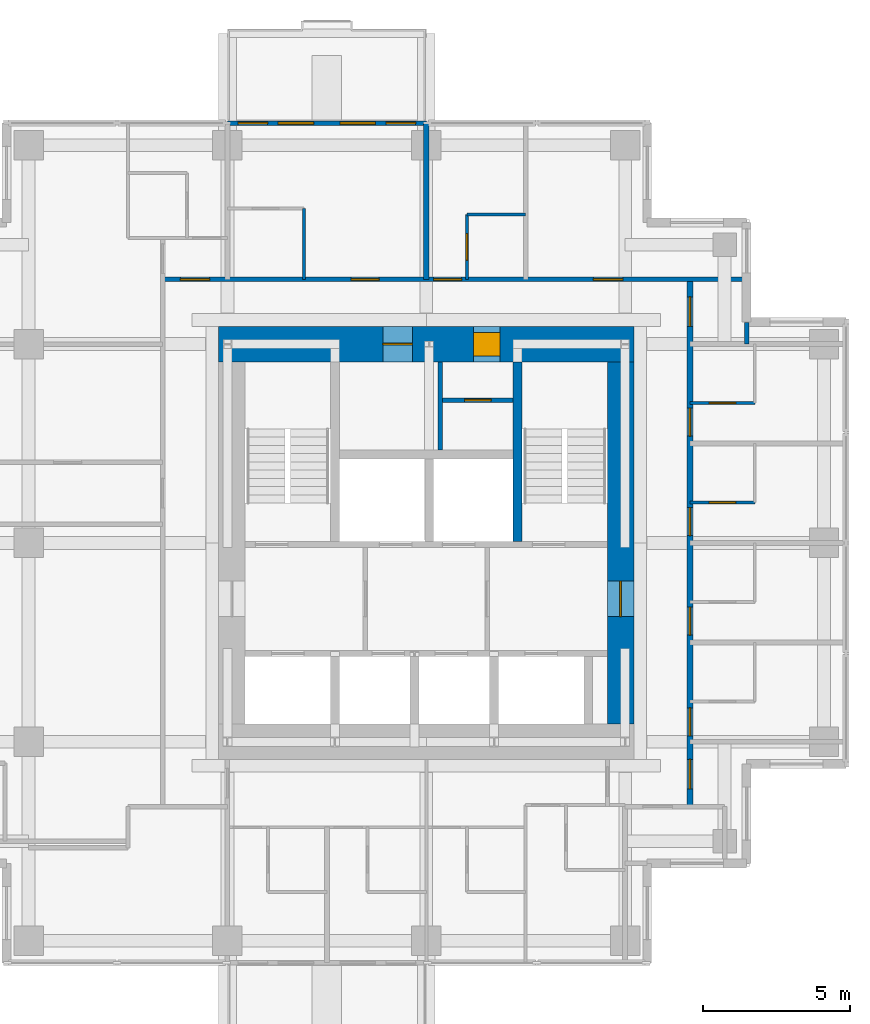
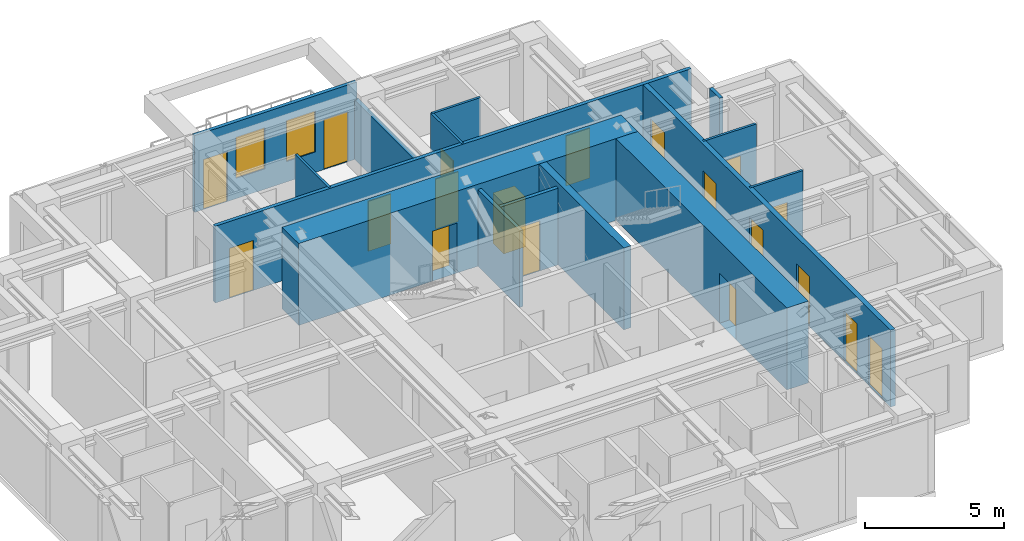
# One storey, part 6 of 8: 19 doors, 15 walls, 2 windows, 21 openings.
"""IFC4 building model written with IfcOpenShell, lengths in metres."""

from ifc_helpers import new_model, si_unit, direction, frame, frame_2d, origin, place, context, subcontext, project, spatial, rectangle, extrude, material, layer, layer_set, type_object, element, fill, save


model = new_model("IFC4")

# Units and contexts
model_context = context("Model", 3, precision=1e-05, world=origin(), true_north=direction((0.0, 1.0)))
body_context = subcontext(model_context, "Body", "Model", "MODEL_VIEW")
ifc_project = project(units=[si_unit("LENGTHUNIT", "METRE"), si_unit("AREAUNIT", "SQUARE_METRE"), si_unit("VOLUMEUNIT", "CUBIC_METRE"), si_unit("PLANEANGLEUNIT", "RADIAN"), si_unit("MASSUNIT", "GRAM", prefix="KILO")], contexts=[model_context])

# Site, building, storey
site_placement = place(None, origin())
site = spatial("IfcSite", under=ifc_project, at=site_placement, CompositionType="ELEMENT")
building_placement = place(site_placement, origin())
building = spatial("IfcBuilding", under=site, at=building_placement, Name="Nyansa Garden Tower", CompositionType="ELEMENT")
storey_placement = place(building_placement, frame((0.0, 0.0, 247.5)))
storey = spatial("IfcBuildingStorey", under=building, at=storey_placement, Name="L67", CompositionType="ELEMENT", Elevation=247.5)

# Wall
ifc_material_1 = material(Name="Dense blockwork, plastered both sides, 55 dB", Category="masonry")
ifc_layer_1 = layer(ifc_material_1, 0.175048828125)
ifc_layer_set_1 = layer_set([ifc_layer_1], Name="Acoustic party wall PW175")
wall_type_1 = type_object("IfcWallType", Name="Acoustic party wall PW175", PredefinedType="PARTITIONING", material=ifc_layer_set_1)
wall_1_placement = place(storey_placement, frame((20.25, 29.199951171875, 0.0), z_axis=(0.0, 0.0, 1.0), x_axis=(0.0, 1.0, 0.0)))
element("IfcWall", 1, at=wall_1_placement, inside=storey, type_object=wall_type_1, Name="Party wall", PredefinedType="PARTITIONING", context=body_context, shape_type="SweptSolid", body=[
    extrude(rectangle(XDim=5.283935546875, YDim=0.175048828125, at=frame_2d((2.64208984375, 0.0))), origin(), (0.0, 0.0, 1.0), 2.610107421875),
])

# Wall, openings, doors, windows
ifc_material_2 = material(Name="Black aluminium framed glazed screen", Category="aluminium")
ifc_layer_2 = layer(ifc_material_2, 0.14990234375)
ifc_layer_set_2 = layer_set([ifc_layer_2], Name="Balcony screen wall BW150")
wall_type_2 = type_object("IfcWallType", Name="Balcony screen wall BW150", PredefinedType="SOLIDWALL", material=ifc_layer_set_2)
wall_2_placement = place(storey_placement, frame((13.5, 34.5, 0.0), z_axis=(0.0, 0.0, 1.0), x_axis=(1.0, 0.0, 0.0)))
wall_2 = element("IfcWall", 2, at=wall_2_placement, inside=storey, type_object=wall_type_2, Name="Glazed screen wall L67 N", PredefinedType="SOLIDWALL", context=body_context, shape_type="SweptSolid", body=[
    extrude(rectangle(XDim=6.75, YDim=0.14990234375, at=frame_2d((3.375, 0.0))), origin(), (0.0, 0.0, 1.0), 3.375),
])
opening_1_placement = place(wall_2_placement, frame((0.362548828125, 0.0, 0.0)))
opening_1 = element("IfcOpeningElement", 3, at=opening_1_placement, cuts=wall_2, Name="Opening D20", PredefinedType="OPENING", context=body_context, shape_type="SweptSolid", body=[
    extrude(rectangle(XDim=1.0, YDim=2.199951171875, at=frame_2d((0.5, 1.10009765625))), frame((0.0, 0.0849609375, 0.0), z_axis=(0.0, -1.0, 0.0), x_axis=(1.0, 0.0, 0.0)), (0.0, 0.0, 1.0), 0.169921875),
])
opening_2_placement = place(wall_2_placement, frame((1.72509765625, 0.0, 0.89990234375)))
opening_2 = element("IfcOpeningElement", 4, at=opening_2_placement, cuts=wall_2, Name="Opening W6", PredefinedType="OPENING", context=body_context, shape_type="SweptSolid", body=[
    extrude(rectangle(XDim=1.199951171875, YDim=1.800048828125, at=frame_2d((0.60009765625, 0.89990234375))), frame((0.0, 0.0849609375, 0.0), z_axis=(0.0, -1.0, 0.0), x_axis=(1.0, 0.0, 0.0)), (0.0, 0.0, 1.0), 0.169921875),
])
opening_3_placement = place(wall_2_placement, frame((5.387451171875, 0.0, 0.0)))
opening_3 = element("IfcOpeningElement", 5, at=opening_3_placement, cuts=wall_2, Name="Opening D20", PredefinedType="OPENING", context=body_context, shape_type="SweptSolid", body=[
    extrude(rectangle(XDim=1.0, YDim=2.199951171875, at=frame_2d((0.5, 1.10009765625))), frame((0.0, 0.0849609375, 0.0), z_axis=(0.0, -1.0, 0.0), x_axis=(1.0, 0.0, 0.0)), (0.0, 0.0, 1.0), 0.169921875),
])
opening_4_placement = place(wall_2_placement, frame((3.824951171875, 0.0, 0.89990234375)))
opening_4 = element("IfcOpeningElement", 6, at=opening_4_placement, cuts=wall_2, Name="Opening W6", PredefinedType="OPENING", context=body_context, shape_type="SweptSolid", body=[
    extrude(rectangle(XDim=1.199951171875, YDim=1.800048828125, at=frame_2d((0.60009765625, 0.89990234375))), frame((0.0, 0.0849609375, 0.0), z_axis=(0.0, -1.0, 0.0), x_axis=(1.0, 0.0, 0.0)), (0.0, 0.0, 1.0), 0.169921875),
])
ifc_material_3 = material(Name="Black aluminium framed glazed door", Category="aluminium")
door_type_1 = type_object("IfcDoorType", Name="Balcony door D20 1000x2200", OperationType="NOTDEFINED", PredefinedType="DOOR", material=ifc_material_3)
door_1_placement = place(opening_1_placement, origin())
door_1 = element("IfcDoor", 7, at=door_1_placement, inside=storey, type_object=door_type_1, Name="Balcony door L67", OperationType="SINGLE_SWING_LEFT", OverallHeight=2.199951171875, OverallWidth=1.0, PredefinedType="DOOR", context=body_context, shape_type="SweptSolid", body=[
    extrude(rectangle(XDim=1.0, YDim=2.199951171875, at=frame_2d((0.5, 1.10009765625))), frame((0.0, 0.02490234375, 0.0), z_axis=(0.0, -1.0, 0.0), x_axis=(1.0, 0.0, 0.0)), (0.0, 0.0, 1.0), 0.050048828125),
])
fill(opening_1, door_1)
door_2_placement = place(opening_3_placement, origin())
door_2 = element("IfcDoor", 8, at=door_2_placement, inside=storey, type_object=door_type_1, Name="Balcony door L67", OperationType="SINGLE_SWING_RIGHT", OverallHeight=2.199951171875, OverallWidth=1.0, PredefinedType="DOOR", context=body_context, shape_type="SweptSolid", body=[
    extrude(rectangle(XDim=1.0, YDim=2.199951171875, at=frame_2d((0.5, 1.10009765625))), frame((0.0, 0.02490234375, 0.0), z_axis=(0.0, -1.0, 0.0), x_axis=(1.0, 0.0, 0.0)), (0.0, 0.0, 1.0), 0.050048828125),
])
fill(opening_3, door_2)
ifc_material_4 = material(Name="Black aluminium frame, dark tinted double glazing", Category="aluminium")
window_type = type_object("IfcWindowType", Name="Balcony window W6 1200x1800", PartitioningType="SINGLE_PANEL", PredefinedType="WINDOW", material=ifc_material_4)
window_1_placement = place(opening_2_placement, origin())
window_1 = element("IfcWindow", 9, at=window_1_placement, inside=storey, type_object=window_type, Name="Window L67", OverallHeight=1.800048828125, OverallWidth=1.199951171875, PartitioningType="SINGLE_PANEL", PredefinedType="WINDOW", context=body_context, shape_type="SweptSolid", body=[
    extrude(rectangle(XDim=1.199951171875, YDim=1.800048828125, at=frame_2d((0.60009765625, 0.89990234375))), frame((0.0, 0.030029296875, 0.0), z_axis=(0.0, -1.0, 0.0), x_axis=(1.0, 0.0, 0.0)), (0.0, 0.0, 1.0), 0.06005859375),
])
fill(opening_2, window_1)
window_2_placement = place(opening_4_placement, origin())
window_2 = element("IfcWindow", 10, at=window_2_placement, inside=storey, type_object=window_type, Name="Window L67", OverallHeight=1.800048828125, OverallWidth=1.199951171875, PartitioningType="SINGLE_PANEL", PredefinedType="WINDOW", context=body_context, shape_type="SweptSolid", body=[
    extrude(rectangle(XDim=1.199951171875, YDim=1.800048828125, at=frame_2d((0.60009765625, 0.89990234375))), frame((0.0, 0.030029296875, 0.0), z_axis=(0.0, -1.0, 0.0), x_axis=(1.0, 0.0, 0.0)), (0.0, 0.0, 1.0), 0.06005859375),
])
fill(opening_4, window_2)

# Wall
ifc_material_5 = material(Name="Concrete C70/85", Category="concrete")
ifc_layer_3 = layer(ifc_material_5, 0.300048828125)
ifc_layer_set_3 = layer_set([ifc_layer_3], Name="Core inner wall CI300")
wall_type_3 = type_object("IfcWallType", Name="Core inner wall CI300", PredefinedType="SHEAR", material=ifc_layer_set_3)
wall_3_placement = place(storey_placement, frame((23.35009765625, 20.300048828125, 0.0), z_axis=(0.0, 0.0, 1.0), x_axis=(0.0, 1.0, 0.0)))
element("IfcWall", 11, at=wall_3_placement, inside=storey, type_object=wall_type_3, Name="Core inner wall L67", PredefinedType="SHEAR", context=body_context, shape_type="SweptSolid", body=[
    extrude(rectangle(XDim=6.099853515625, YDim=0.300048828125, at=frame_2d((3.0498046875, 0.0))), origin(), (0.0, 0.0, 1.0), 3.60009765625),
])

# Wall, openings, doors
ifc_material_6 = material(Name="Concrete C80/95", Category="concrete")
ifc_layer_4 = layer(ifc_material_6, 1.199951171875)
ifc_layer_set_4 = layer_set([ifc_layer_4], Name="Core wall CW1200")
wall_type_4 = type_object("IfcWallType", Name="Core wall CW1200", PredefinedType="SHEAR", material=ifc_layer_set_4)
wall_4_placement = place(storey_placement, frame((27.300048828125, 27.0, 0.0), z_axis=(0.0, 0.0, 1.0), x_axis=(-1.0, 0.0, 0.0)))
wall_4 = element("IfcWall", 12, at=wall_4_placement, inside=storey, type_object=wall_type_4, Name="Core wall N L67", PredefinedType="SHEAR", context=body_context, shape_type="SweptSolid", body=[
    extrude(rectangle(XDim=14.10009765625, YDim=1.199951171875, at=frame_2d((7.050048828125, 0.0))), origin(), (0.0, 0.0, 1.0), 3.60009765625),
])
opening_5_placement = place(wall_4_placement, frame((4.550048828125, 0.0, 0.0)))
opening_5 = element("IfcOpeningElement", 13, at=opening_5_placement, cuts=wall_4, Name="Opening D15", PredefinedType="OPENING", context=body_context, shape_type="SweptSolid", body=[
    extrude(rectangle(XDim=0.89990234375, YDim=2.199951171875, at=frame_2d((0.449951171875, 1.10009765625))), frame((0.0, 0.60986328125, 0.0), z_axis=(0.0, -1.0, 0.0), x_axis=(1.0, 0.0, 0.0)), (0.0, 0.0, 1.0), 1.219970703125),
])
opening_6_placement = place(wall_4_placement, frame((7.52490234375, 0.0, 0.0)))
opening_6 = element("IfcOpeningElement", 14, at=opening_6_placement, cuts=wall_4, Name="Opening D07", PredefinedType="OPENING", context=body_context, shape_type="SweptSolid", body=[
    extrude(rectangle(XDim=1.0, YDim=2.199951171875, at=frame_2d((0.5, 1.10009765625))), frame((0.0, 0.60986328125, 0.0), z_axis=(0.0, -1.0, 0.0), x_axis=(1.0, 0.0, 0.0)), (0.0, 0.0, 1.0), 1.219970703125),
])
ifc_material_7 = material(Name="Timber flush door, 60 minute fire resisting, self-closing", Category="wood")
door_type_2 = type_object("IfcDoorType", Name="Core room door D15 900x2200", OperationType="SINGLE_SWING_LEFT", PredefinedType="DOOR", material=ifc_material_7)
door_3_placement = place(opening_5_placement, origin())
door_3 = element("IfcDoor", 15, at=door_3_placement, inside=storey, type_object=door_type_2, Name="Core room door", OperationType="SINGLE_SWING_LEFT", OverallHeight=2.199951171875, OverallWidth=0.89990234375, PredefinedType="DOOR", context=body_context, shape_type="SweptSolid", body=[
    extrude(rectangle(XDim=0.89990234375, YDim=2.199951171875, at=frame_2d((0.449951171875, 1.10009765625))), frame((0.0, 0.39990234375, 0.0), z_axis=(0.0, -1.0, 0.0), x_axis=(1.0, 0.0, 0.0)), (0.0, 0.0, 1.0), 0.800048828125),
])
fill(opening_5, door_3)
ifc_material_8 = material(Name="Steel door, 120 minute fire resisting", Category="steel")
door_type_3 = type_object("IfcDoorType", Name="Riser door D07 1000x2200", OperationType="SINGLE_SWING_LEFT", PredefinedType="DOOR", material=ifc_material_8)
door_4_placement = place(opening_6_placement, origin())
door_4 = element("IfcDoor", 16, at=door_4_placement, inside=storey, type_object=door_type_3, Name="Riser and refuse room door", OperationType="SINGLE_SWING_LEFT", OverallHeight=2.199951171875, OverallWidth=1.0, PredefinedType="DOOR", context=body_context, shape_type="SweptSolid", body=[
    extrude(rectangle(XDim=1.0, YDim=2.199951171875, at=frame_2d((0.5, 1.10009765625))), frame((0.0, 0.02490234375, 0.0), z_axis=(0.0, -1.0, 0.0), x_axis=(1.0, 0.0, 0.0)), (0.0, 0.0, 1.0), 0.050048828125),
])
fill(opening_6, door_4)

# Wall, opening, door
ifc_material_9 = material(Name="Concrete C80/95", Category="concrete")
ifc_layer_5 = layer(ifc_material_9, 0.89990234375)
ifc_layer_set_5 = layer_set([ifc_layer_5], Name="Core wall CW900")
wall_type_5 = type_object("IfcWallType", Name="Core wall CW900", PredefinedType="SHEAR", material=ifc_layer_set_5)
wall_5_placement = place(storey_placement, frame((26.85009765625, 14.10009765625, 0.0), z_axis=(0.0, 0.0, 1.0), x_axis=(0.0, 1.0, 0.0)))
wall_5 = element("IfcWall", 17, at=wall_5_placement, inside=storey, type_object=wall_type_5, Name="Core wall E L67", PredefinedType="SHEAR", context=body_context, shape_type="SweptSolid", body=[
    extrude(rectangle(XDim=12.2998046875, YDim=0.89990234375, at=frame_2d((6.14990234375, 0.0))), origin(), (0.0, 0.0, 1.0), 3.60009765625),
])
opening_7_placement = place(wall_5_placement, frame((3.64990234375, 0.0, 0.0)))
opening_7 = element("IfcOpeningElement", 18, at=opening_7_placement, cuts=wall_5, Name="Opening D06", PredefinedType="OPENING", context=body_context, shape_type="SweptSolid", body=[
    extrude(rectangle(XDim=1.199951171875, YDim=2.199951171875, at=frame_2d((0.60009765625, 1.10009765625))), frame((0.0, 0.4599609375, 0.0), z_axis=(0.0, -1.0, 0.0), x_axis=(1.0, 0.0, 0.0)), (0.0, 0.0, 1.0), 0.919921875),
])
ifc_material_10 = material(Name="Steel door, 120 minute fire resisting", Category="steel")
door_type_4 = type_object("IfcDoorType", Name="Lobby door D06 1200x2200", OperationType="DOUBLE_DOOR_SINGLE_SWING", PredefinedType="DOOR", material=ifc_material_10)
door_5_placement = place(opening_7_placement, origin())
door_5 = element("IfcDoor", 19, at=door_5_placement, inside=storey, type_object=door_type_4, Name="Lift lobby door east", OperationType="DOUBLE_DOOR_SINGLE_SWING", OverallHeight=2.199951171875, OverallWidth=1.199951171875, PredefinedType="DOOR", context=body_context, shape_type="SweptSolid", body=[
    extrude(rectangle(XDim=1.199951171875, YDim=2.199951171875, at=frame_2d((0.60009765625, 1.10009765625))), frame((0.0, 0.02490234375, 0.0), z_axis=(0.0, -1.0, 0.0), x_axis=(1.0, 0.0, 0.0)), (0.0, 0.0, 1.0), 0.050048828125),
])
fill(opening_7, door_5)

# Wall, openings, doors
ifc_material_11 = material(Name="Concrete blockwork, plastered, 60 minute fire resisting", Category="masonry")
ifc_layer_6 = layer(ifc_material_11, 0.199951171875)
ifc_layer_set_6 = layer_set([ifc_layer_6], Name="Corridor wall FW200")
wall_type_6 = type_object("IfcWallType", Name="Corridor wall FW200", PredefinedType="PARTITIONING", material=ifc_layer_set_6)
wall_6_placement = place(storey_placement, frame((29.199951171875, 11.300048828125, 0.0), z_axis=(0.0, 0.0, 1.0), x_axis=(0.0, 1.0, 0.0)))
wall_6 = element("IfcWall", 20, at=wall_6_placement, inside=storey, type_object=wall_type_6, Name="Corridor wall", PredefinedType="PARTITIONING", context=body_context, shape_type="SweptSolid", body=[
    extrude(rectangle(XDim=17.89990234375, YDim=0.199951171875, at=frame_2d((8.949951171875, 0.0))), origin(), (0.0, 0.0, 1.0), 3.375),
])
opening_8_placement = place(wall_6_placement, frame((0.60009765625, 0.0, 0.0)))
opening_8 = element("IfcOpeningElement", 21, at=opening_8_placement, cuts=wall_6, Name="Opening D03", PredefinedType="OPENING", context=body_context, shape_type="SweptSolid", body=[
    extrude(rectangle(XDim=1.0, YDim=2.199951171875, at=frame_2d((0.5, 1.10009765625))), frame((0.0, 0.10986328125, 0.0), z_axis=(0.0, -1.0, 0.0), x_axis=(1.0, 0.0, 0.0)), (0.0, 0.0, 1.0), 0.219970703125),
])
opening_9_placement = place(wall_6_placement, frame((2.39990234375, 0.0, 0.0)))
opening_9 = element("IfcOpeningElement", 22, at=opening_9_placement, cuts=wall_6, Name="Opening D14", PredefinedType="OPENING", context=body_context, shape_type="SweptSolid", body=[
    extrude(rectangle(XDim=0.949951171875, YDim=2.199951171875, at=frame_2d((0.47509765625, 1.10009765625))), frame((0.0, 0.10986328125, 0.0), z_axis=(0.0, -1.0, 0.0), x_axis=(1.0, 0.0, 0.0)), (0.0, 0.0, 1.0), 0.219970703125),
])
opening_10_placement = place(wall_6_placement, frame((5.824951171875, 0.0, 0.0)))
opening_10 = element("IfcOpeningElement", 23, at=opening_10_placement, cuts=wall_6, Name="Opening D14", PredefinedType="OPENING", context=body_context, shape_type="SweptSolid", body=[
    extrude(rectangle(XDim=0.949951171875, YDim=2.199951171875, at=frame_2d((0.47509765625, 1.10009765625))), frame((0.0, 0.10986328125, 0.0), z_axis=(0.0, -1.0, 0.0), x_axis=(1.0, 0.0, 0.0)), (0.0, 0.0, 1.0), 0.219970703125),
])
opening_11_placement = place(wall_6_placement, frame((9.199951171875, 0.0, 0.0)))
opening_11 = element("IfcOpeningElement", 24, at=opening_11_placement, cuts=wall_6, Name="Opening D14", PredefinedType="OPENING", context=body_context, shape_type="SweptSolid", body=[
    extrude(rectangle(XDim=0.949951171875, YDim=2.199951171875, at=frame_2d((0.47509765625, 1.10009765625))), frame((0.0, 0.10986328125, 0.0), z_axis=(0.0, -1.0, 0.0), x_axis=(1.0, 0.0, 0.0)), (0.0, 0.0, 1.0), 0.219970703125),
])
opening_12_placement = place(wall_6_placement, frame((12.574951171875, 0.0, 0.0)))
opening_12 = element("IfcOpeningElement", 25, at=opening_12_placement, cuts=wall_6, Name="Opening D14", PredefinedType="OPENING", context=body_context, shape_type="SweptSolid", body=[
    extrude(rectangle(XDim=0.949951171875, YDim=2.199951171875, at=frame_2d((0.47509765625, 1.10009765625))), frame((0.0, 0.10986328125, 0.0), z_axis=(0.0, -1.0, 0.0), x_axis=(1.0, 0.0, 0.0)), (0.0, 0.0, 1.0), 0.219970703125),
])
opening_13_placement = place(wall_6_placement, frame((16.300048828125, 0.0, 0.0)))
opening_13 = element("IfcOpeningElement", 26, at=opening_13_placement, cuts=wall_6, Name="Opening D03", PredefinedType="OPENING", context=body_context, shape_type="SweptSolid", body=[
    extrude(rectangle(XDim=1.0, YDim=2.199951171875, at=frame_2d((0.5, 1.10009765625))), frame((0.0, 0.10986328125, 0.0), z_axis=(0.0, -1.0, 0.0), x_axis=(1.0, 0.0, 0.0)), (0.0, 0.0, 1.0), 0.219970703125),
])
ifc_material_12 = material(Name="Timber flush door, 60 minute fire resisting", Category="wood")
door_type_5 = type_object("IfcDoorType", Name="Cluster entrance door D03 1000x2200", OperationType="SINGLE_SWING_LEFT", PredefinedType="DOOR", material=ifc_material_12)
door_6_placement = place(opening_8_placement, origin())
door_6 = element("IfcDoor", 27, at=door_6_placement, inside=storey, type_object=door_type_5, Name="Door L67-029", OperationType="SINGLE_SWING_LEFT", OverallHeight=2.199951171875, OverallWidth=1.0, PredefinedType="DOOR", context=body_context, shape_type="SweptSolid", body=[
    extrude(rectangle(XDim=1.0, YDim=2.199951171875, at=frame_2d((0.5, 1.10009765625))), frame((0.0, 0.02490234375, 0.0), z_axis=(0.0, -1.0, 0.0), x_axis=(1.0, 0.0, 0.0)), (0.0, 0.0, 1.0), 0.050048828125),
])
fill(opening_8, door_6)
door_7_placement = place(opening_13_placement, origin())
door_7 = element("IfcDoor", 28, at=door_7_placement, inside=storey, type_object=door_type_5, Name="Door L67-038", OperationType="SINGLE_SWING_LEFT", OverallHeight=2.199951171875, OverallWidth=1.0, PredefinedType="DOOR", context=body_context, shape_type="SweptSolid", body=[
    extrude(rectangle(XDim=1.0, YDim=2.199951171875, at=frame_2d((0.5, 1.10009765625))), frame((0.0, 0.02490234375, 0.0), z_axis=(0.0, -1.0, 0.0), x_axis=(1.0, 0.0, 0.0)), (0.0, 0.0, 1.0), 0.050048828125),
])
fill(opening_13, door_7)
ifc_material_13 = material(Name="Timber flush door, 60 minute fire resisting, self-closing", Category="wood")
door_type_6 = type_object("IfcDoorType", Name="Studio entrance door D14 950x2200", OperationType="SINGLE_SWING_LEFT", PredefinedType="DOOR", material=ifc_material_13)
door_8_placement = place(opening_9_placement, origin())
door_8 = element("IfcDoor", 29, at=door_8_placement, inside=storey, type_object=door_type_6, Name="Door L67-030", OperationType="SINGLE_SWING_LEFT", OverallHeight=2.199951171875, OverallWidth=0.949951171875, PredefinedType="DOOR", context=body_context, shape_type="SweptSolid", body=[
    extrude(rectangle(XDim=0.949951171875, YDim=2.199951171875, at=frame_2d((0.47509765625, 1.10009765625))), frame((0.0, 0.02490234375, 0.0), z_axis=(0.0, -1.0, 0.0), x_axis=(1.0, 0.0, 0.0)), (0.0, 0.0, 1.0), 0.050048828125),
])
fill(opening_9, door_8)
door_9_placement = place(opening_10_placement, origin())
door_9 = element("IfcDoor", 30, at=door_9_placement, inside=storey, type_object=door_type_6, Name="Door L67-032", OperationType="SINGLE_SWING_LEFT", OverallHeight=2.199951171875, OverallWidth=0.949951171875, PredefinedType="DOOR", context=body_context, shape_type="SweptSolid", body=[
    extrude(rectangle(XDim=0.949951171875, YDim=2.199951171875, at=frame_2d((0.47509765625, 1.10009765625))), frame((0.0, 0.02490234375, 0.0), z_axis=(0.0, -1.0, 0.0), x_axis=(1.0, 0.0, 0.0)), (0.0, 0.0, 1.0), 0.050048828125),
])
fill(opening_10, door_9)
door_10_placement = place(opening_11_placement, origin())
door_10 = element("IfcDoor", 31, at=door_10_placement, inside=storey, type_object=door_type_6, Name="Door L67-034", OperationType="SINGLE_SWING_LEFT", OverallHeight=2.199951171875, OverallWidth=0.949951171875, PredefinedType="DOOR", context=body_context, shape_type="SweptSolid", body=[
    extrude(rectangle(XDim=0.949951171875, YDim=2.199951171875, at=frame_2d((0.47509765625, 1.10009765625))), frame((0.0, 0.02490234375, 0.0), z_axis=(0.0, -1.0, 0.0), x_axis=(1.0, 0.0, 0.0)), (0.0, 0.0, 1.0), 0.050048828125),
])
fill(opening_11, door_10)
door_11_placement = place(opening_12_placement, origin())
door_11 = element("IfcDoor", 32, at=door_11_placement, inside=storey, type_object=door_type_6, Name="Door L67-036", OperationType="SINGLE_SWING_LEFT", OverallHeight=2.199951171875, OverallWidth=0.949951171875, PredefinedType="DOOR", context=body_context, shape_type="SweptSolid", body=[
    extrude(rectangle(XDim=0.949951171875, YDim=2.199951171875, at=frame_2d((0.47509765625, 1.10009765625))), frame((0.0, 0.02490234375, 0.0), z_axis=(0.0, -1.0, 0.0), x_axis=(1.0, 0.0, 0.0)), (0.0, 0.0, 1.0), 0.050048828125),
])
fill(opening_12, door_11)

# Wall
ifc_material_14 = material(Name="Blockwork, plastered both sides", Category="masonry")
ifc_layer_7 = layer(ifc_material_14, 0.14990234375)
ifc_layer_set_7 = layer_set([ifc_layer_7], Name="Partition PW150")
wall_type_7 = type_object("IfcWallType", Name="Partition PW150", PredefinedType="PARTITIONING", material=ifc_layer_set_7)
wall_7_placement = place(storey_placement, frame((20.72509765625, 23.39990234375, 0.0), z_axis=(0.0, 0.0, 1.0), x_axis=(0.0, 1.0, 0.0)))
element("IfcWall", 33, at=wall_7_placement, inside=storey, type_object=wall_type_7, Name="Partition", PredefinedType="PARTITIONING", context=body_context, shape_type="SweptSolid", body=[
    extrude(rectangle(XDim=3.0, YDim=0.14990234375, at=frame_2d((1.5, 0.0))), origin(), (0.0, 0.0, 1.0), 3.375),
])

# Wall, opening, door
wall_8_placement = place(storey_placement, frame((20.800048828125, 25.10009765625, 0.0), z_axis=(0.0, 0.0, 1.0), x_axis=(1.0, 0.0, 0.0)))
wall_8 = element("IfcWall", 34, at=wall_8_placement, inside=storey, type_object=wall_type_7, Name="Partition", PredefinedType="PARTITIONING", context=body_context, shape_type="SweptSolid", body=[
    extrude(rectangle(XDim=2.39990234375, YDim=0.14990234375, at=frame_2d((1.199951171875, 0.0))), origin(), (0.0, 0.0, 1.0), 3.375),
])
opening_14_placement = place(wall_8_placement, frame((0.75, 0.0, 0.0)))
opening_14 = element("IfcOpeningElement", 35, at=opening_14_placement, cuts=wall_8, Name="Opening D02", PredefinedType="OPENING", context=body_context, shape_type="SweptSolid", body=[
    extrude(rectangle(XDim=0.89990234375, YDim=2.199951171875, at=frame_2d((0.449951171875, 1.10009765625))), frame((0.0, 0.0849609375, 0.0), z_axis=(0.0, -1.0, 0.0), x_axis=(1.0, 0.0, 0.0)), (0.0, 0.0, 1.0), 0.169921875),
])
ifc_material_15 = material(Name="Timber flush door", Category="wood")
door_type_7 = type_object("IfcDoorType", Name="En-suite door D02 900x2200", OperationType="SINGLE_SWING_RIGHT", PredefinedType="DOOR", material=ifc_material_15)
door_12_placement = place(opening_14_placement, origin())
door_12 = element("IfcDoor", 36, at=door_12_placement, inside=storey, type_object=door_type_7, Name="Staff WC door", OperationType="SINGLE_SWING_RIGHT", OverallHeight=2.199951171875, OverallWidth=0.89990234375, PredefinedType="DOOR", context=body_context, shape_type="SweptSolid", body=[
    extrude(rectangle(XDim=0.89990234375, YDim=2.199951171875, at=frame_2d((0.449951171875, 1.10009765625))), frame((0.0, 0.02490234375, 0.0), z_axis=(0.0, -1.0, 0.0), x_axis=(1.0, 0.0, 0.0)), (0.0, 0.0, 1.0), 0.050048828125),
])
fill(opening_14, door_12)

# Wall, openings, doors
wall_9_placement = place(storey_placement, frame((11.300048828125, 29.199951171875, 0.0), z_axis=(0.0, 0.0, 1.0), x_axis=(1.0, 0.0, 0.0)))
wall_9 = element("IfcWall", 37, at=wall_9_placement, inside=storey, type_object=wall_type_7, Name="Partition", PredefinedType="PARTITIONING", context=body_context, shape_type="SweptSolid", body=[
    extrude(rectangle(XDim=19.808837890625, YDim=0.14990234375, at=frame_2d((9.904296875, 0.0))), origin(), (0.0, 0.0, 1.0), 3.375),
])
opening_15_placement = place(wall_9_placement, frame((14.625, 0.0, 0.0)))
opening_15 = element("IfcOpeningElement", 38, at=opening_15_placement, cuts=wall_9, Name="Opening D03", PredefinedType="OPENING", context=body_context, shape_type="SweptSolid", body=[
    extrude(rectangle(XDim=1.0, YDim=2.199951171875, at=frame_2d((0.5, 1.10009765625))), frame((0.0, 0.0849609375, 0.0), z_axis=(0.0, -1.0, 0.0), x_axis=(1.0, 0.0, 0.0)), (0.0, 0.0, 1.0), 0.169921875),
])
opening_16_placement = place(wall_9_placement, frame((6.39990234375, 0.0, 0.0)))
opening_16 = element("IfcOpeningElement", 39, at=opening_16_placement, cuts=wall_9, Name="Opening D14", PredefinedType="OPENING", context=body_context, shape_type="SweptSolid", body=[
    extrude(rectangle(XDim=0.949951171875, YDim=2.199951171875, at=frame_2d((0.47509765625, 1.10009765625))), frame((0.0, 0.0849609375, 0.0), z_axis=(0.0, -1.0, 0.0), x_axis=(1.0, 0.0, 0.0)), (0.0, 0.0, 1.0), 0.169921875),
])
opening_17_placement = place(wall_9_placement, frame((9.199951171875, 0.0, 0.0)))
opening_17 = element("IfcOpeningElement", 40, at=opening_17_placement, cuts=wall_9, Name="Opening D14", PredefinedType="OPENING", context=body_context, shape_type="SweptSolid", body=[
    extrude(rectangle(XDim=0.949951171875, YDim=2.199951171875, at=frame_2d((0.47509765625, 1.10009765625))), frame((0.0, 0.0849609375, 0.0), z_axis=(0.0, -1.0, 0.0), x_axis=(1.0, 0.0, 0.0)), (0.0, 0.0, 1.0), 0.169921875),
])
opening_18_placement = place(wall_9_placement, frame((0.60009765625, 0.0, 0.0)))
opening_18 = element("IfcOpeningElement", 41, at=opening_18_placement, cuts=wall_9, Name="Opening D03", PredefinedType="OPENING", context=body_context, shape_type="SweptSolid", body=[
    extrude(rectangle(XDim=1.0, YDim=2.199951171875, at=frame_2d((0.5, 1.10009765625))), frame((0.0, 0.0849609375, 0.0), z_axis=(0.0, -1.0, 0.0), x_axis=(1.0, 0.0, 0.0)), (0.0, 0.0, 1.0), 0.169921875),
])
door_13_placement = place(opening_15_placement, origin())
door_13 = element("IfcDoor", 42, at=door_13_placement, inside=storey, type_object=door_type_5, Name="Door L67-039", OperationType="SINGLE_SWING_LEFT", OverallHeight=2.199951171875, OverallWidth=1.0, PredefinedType="DOOR", context=body_context, shape_type="SweptSolid", body=[
    extrude(rectangle(XDim=1.0, YDim=2.199951171875, at=frame_2d((0.5, 1.10009765625))), frame((0.0, 0.02490234375, 0.0), z_axis=(0.0, -1.0, 0.0), x_axis=(1.0, 0.0, 0.0)), (0.0, 0.0, 1.0), 0.050048828125),
])
fill(opening_15, door_13)
door_14_placement = place(opening_18_placement, origin())
door_14 = element("IfcDoor", 43, at=door_14_placement, inside=storey, type_object=door_type_5, Name="Door L67-046", OperationType="SINGLE_SWING_LEFT", OverallHeight=2.199951171875, OverallWidth=1.0, PredefinedType="DOOR", context=body_context, shape_type="SweptSolid", body=[
    extrude(rectangle(XDim=1.0, YDim=2.199951171875, at=frame_2d((0.5, 1.10009765625))), frame((0.0, 0.02490234375, 0.0), z_axis=(0.0, -1.0, 0.0), x_axis=(1.0, 0.0, 0.0)), (0.0, 0.0, 1.0), 0.050048828125),
])
fill(opening_18, door_14)
door_15_placement = place(opening_16_placement, origin())
door_15 = element("IfcDoor", 44, at=door_15_placement, inside=storey, type_object=door_type_6, Name="Door L67-040", OperationType="SINGLE_SWING_LEFT", OverallHeight=2.199951171875, OverallWidth=0.949951171875, PredefinedType="DOOR", context=body_context, shape_type="SweptSolid", body=[
    extrude(rectangle(XDim=0.949951171875, YDim=2.199951171875, at=frame_2d((0.47509765625, 1.10009765625))), frame((0.0, 0.02490234375, 0.0), z_axis=(0.0, -1.0, 0.0), x_axis=(1.0, 0.0, 0.0)), (0.0, 0.0, 1.0), 0.050048828125),
])
fill(opening_16, door_15)
door_16_placement = place(opening_17_placement, origin())
door_16 = element("IfcDoor", 45, at=door_16_placement, inside=storey, type_object=door_type_6, Name="Door L67-044", OperationType="SINGLE_SWING_LEFT", OverallHeight=2.199951171875, OverallWidth=0.949951171875, PredefinedType="DOOR", context=body_context, shape_type="SweptSolid", body=[
    extrude(rectangle(XDim=0.949951171875, YDim=2.199951171875, at=frame_2d((0.47509765625, 1.10009765625))), frame((0.0, 0.02490234375, 0.0), z_axis=(0.0, -1.0, 0.0), x_axis=(1.0, 0.0, 0.0)), (0.0, 0.0, 1.0), 0.050048828125),
])
fill(opening_17, door_16)

# Walls
wall_10_placement = place(storey_placement, frame((31.125, 27.0, 0.0), z_axis=(0.0, 0.0, 1.0), x_axis=(0.0, 1.0, 0.0)))
element("IfcWall", 46, at=wall_10_placement, inside=storey, type_object=wall_type_7, Name="Partition", PredefinedType="PARTITIONING", context=body_context, shape_type="SweptSolid", body=[
    extrude(rectangle(XDim=0.73388671875, YDim=0.14990234375, at=frame_2d((0.366943359375, 0.0))), origin(), (0.0, 0.0, 1.0), 3.375),
])
ifc_material_16 = material(Name="Moisture resistant board on steel studs, tiled", Category="steel")
ifc_layer_8 = layer(ifc_material_16, 0.10009765625)
ifc_layer_set_8 = layer_set([ifc_layer_8], Name="Wet wall PW100")
wall_type_8 = type_object("IfcWallType", Name="Wet wall PW100", PredefinedType="PARTITIONING", material=ifc_layer_set_8)
wall_11_placement = place(storey_placement, frame((16.10009765625, 29.199951171875, 0.0), z_axis=(0.0, 0.0, 1.0), x_axis=(0.0, 1.0, 0.0)))
element("IfcWall", 47, at=wall_11_placement, inside=storey, type_object=wall_type_8, Name="Wet wall", PredefinedType="PARTITIONING", context=body_context, shape_type="SweptSolid", body=[
    extrude(rectangle(XDim=2.400146484375, YDim=0.10009765625, at=frame_2d((1.2001953125, 0.0))), origin(), (0.0, 0.0, 1.0), 3.375),
])

# Wall, opening, door
wall_12_placement = place(storey_placement, frame((21.625, 29.199951171875, 0.0), z_axis=(0.0, 0.0, 1.0), x_axis=(0.0, 1.0, 0.0)))
wall_12 = element("IfcWall", 48, at=wall_12_placement, inside=storey, type_object=wall_type_8, Name="Wet wall", PredefinedType="PARTITIONING", context=body_context, shape_type="SweptSolid", body=[
    extrude(rectangle(XDim=2.199951171875, YDim=0.10009765625, at=frame_2d((1.10009765625, 0.0))), origin(), (0.0, 0.0, 1.0), 3.375),
])
opening_19_placement = place(wall_12_placement, frame((0.64990234375, 0.0, 0.0)))
opening_19 = element("IfcOpeningElement", 49, at=opening_19_placement, cuts=wall_12, Name="Opening D02", PredefinedType="OPENING", context=body_context, shape_type="SweptSolid", body=[
    extrude(rectangle(XDim=0.89990234375, YDim=2.199951171875, at=frame_2d((0.449951171875, 1.10009765625))), frame((0.0, 0.06005859375, 0.0), z_axis=(0.0, -1.0, 0.0), x_axis=(1.0, 0.0, 0.0)), (0.0, 0.0, 1.0), 0.1201171875),
])
door_17_placement = place(opening_19_placement, origin())
door_17 = element("IfcDoor", 50, at=door_17_placement, inside=storey, type_object=door_type_7, Name="Door L67-045", OperationType="SINGLE_SWING_RIGHT", OverallHeight=2.199951171875, OverallWidth=0.89990234375, PredefinedType="DOOR", context=body_context, shape_type="SweptSolid", body=[
    extrude(rectangle(XDim=0.89990234375, YDim=2.199951171875, at=frame_2d((0.449951171875, 1.10009765625))), frame((0.0, 0.02490234375, 0.0), z_axis=(0.0, -1.0, 0.0), x_axis=(1.0, 0.0, 0.0)), (0.0, 0.0, 1.0), 0.050048828125),
])
fill(opening_19, door_17)

# Wall
wall_13_placement = place(storey_placement, frame((21.625, 31.39990234375, 0.0), z_axis=(0.0, 0.0, 1.0), x_axis=(1.0, 0.0, 0.0)))
element("IfcWall", 51, at=wall_13_placement, inside=storey, type_object=wall_type_8, Name="Wet wall", PredefinedType="PARTITIONING", context=body_context, shape_type="SweptSolid", body=[
    extrude(rectangle(XDim=2.0, YDim=0.10009765625, at=frame_2d((1.0, 0.0))), origin(), (0.0, 0.0, 1.0), 3.375),
])

# Wall, opening, door
wall_14_placement = place(storey_placement, frame((29.199951171875, 21.625, 0.0), z_axis=(0.0, 0.0, 1.0), x_axis=(1.0, 0.0, 0.0)))
wall_14 = element("IfcWall", 52, at=wall_14_placement, inside=storey, type_object=wall_type_8, Name="Wet wall", PredefinedType="PARTITIONING", context=body_context, shape_type="SweptSolid", body=[
    extrude(rectangle(XDim=2.199951171875, YDim=0.10009765625, at=frame_2d((1.10009765625, 0.0))), origin(), (0.0, 0.0, 1.0), 3.375),
])
opening_20_placement = place(wall_14_placement, frame((0.64990234375, 0.0, 0.0)))
opening_20 = element("IfcOpeningElement", 53, at=opening_20_placement, cuts=wall_14, Name="Opening D02", PredefinedType="OPENING", context=body_context, shape_type="SweptSolid", body=[
    extrude(rectangle(XDim=0.89990234375, YDim=2.199951171875, at=frame_2d((0.449951171875, 1.10009765625))), frame((0.0, 0.06005859375, 0.0), z_axis=(0.0, -1.0, 0.0), x_axis=(1.0, 0.0, 0.0)), (0.0, 0.0, 1.0), 0.1201171875),
])
door_18_placement = place(opening_20_placement, origin())
door_18 = element("IfcDoor", 54, at=door_18_placement, inside=storey, type_object=door_type_7, Name="Door L67-035", OperationType="SINGLE_SWING_RIGHT", OverallHeight=2.199951171875, OverallWidth=0.89990234375, PredefinedType="DOOR", context=body_context, shape_type="SweptSolid", body=[
    extrude(rectangle(XDim=0.89990234375, YDim=2.199951171875, at=frame_2d((0.449951171875, 1.10009765625))), frame((0.0, 0.02490234375, 0.0), z_axis=(0.0, -1.0, 0.0), x_axis=(1.0, 0.0, 0.0)), (0.0, 0.0, 1.0), 0.050048828125),
])
fill(opening_20, door_18)

wall_15_placement = place(storey_placement, frame((29.199951171875, 25.0, 0.0), z_axis=(0.0, 0.0, 1.0), x_axis=(1.0, 0.0, 0.0)))
wall_15 = element("IfcWall", 55, at=wall_15_placement, inside=storey, type_object=wall_type_8, Name="Wet wall", PredefinedType="PARTITIONING", context=body_context, shape_type="SweptSolid", body=[
    extrude(rectangle(XDim=2.199951171875, YDim=0.10009765625, at=frame_2d((1.10009765625, 0.0))), origin(), (0.0, 0.0, 1.0), 3.375),
])
opening_21_placement = place(wall_15_placement, frame((0.64990234375, 0.0, 0.0)))
opening_21 = element("IfcOpeningElement", 56, at=opening_21_placement, cuts=wall_15, Name="Opening D02", PredefinedType="OPENING", context=body_context, shape_type="SweptSolid", body=[
    extrude(rectangle(XDim=0.89990234375, YDim=2.199951171875, at=frame_2d((0.449951171875, 1.10009765625))), frame((0.0, 0.06005859375, 0.0), z_axis=(0.0, -1.0, 0.0), x_axis=(1.0, 0.0, 0.0)), (0.0, 0.0, 1.0), 0.1201171875),
])
door_19_placement = place(opening_21_placement, origin())
door_19 = element("IfcDoor", 57, at=door_19_placement, inside=storey, type_object=door_type_7, Name="Door L67-037", OperationType="SINGLE_SWING_RIGHT", OverallHeight=2.199951171875, OverallWidth=0.89990234375, PredefinedType="DOOR", context=body_context, shape_type="SweptSolid", body=[
    extrude(rectangle(XDim=0.89990234375, YDim=2.199951171875, at=frame_2d((0.449951171875, 1.10009765625))), frame((0.0, 0.02490234375, 0.0), z_axis=(0.0, -1.0, 0.0), x_axis=(1.0, 0.0, 0.0)), (0.0, 0.0, 1.0), 0.050048828125),
])
fill(opening_21, door_19)

save(model, "model.ifc")
